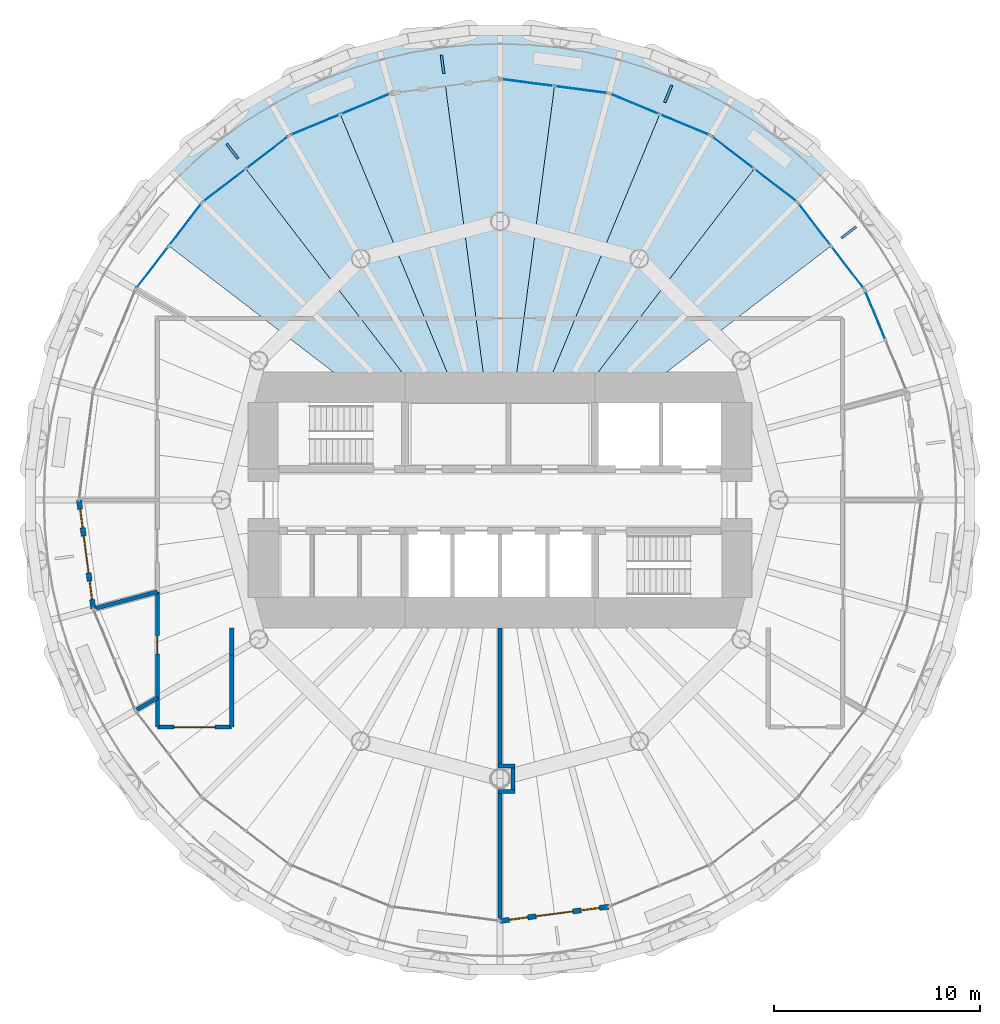
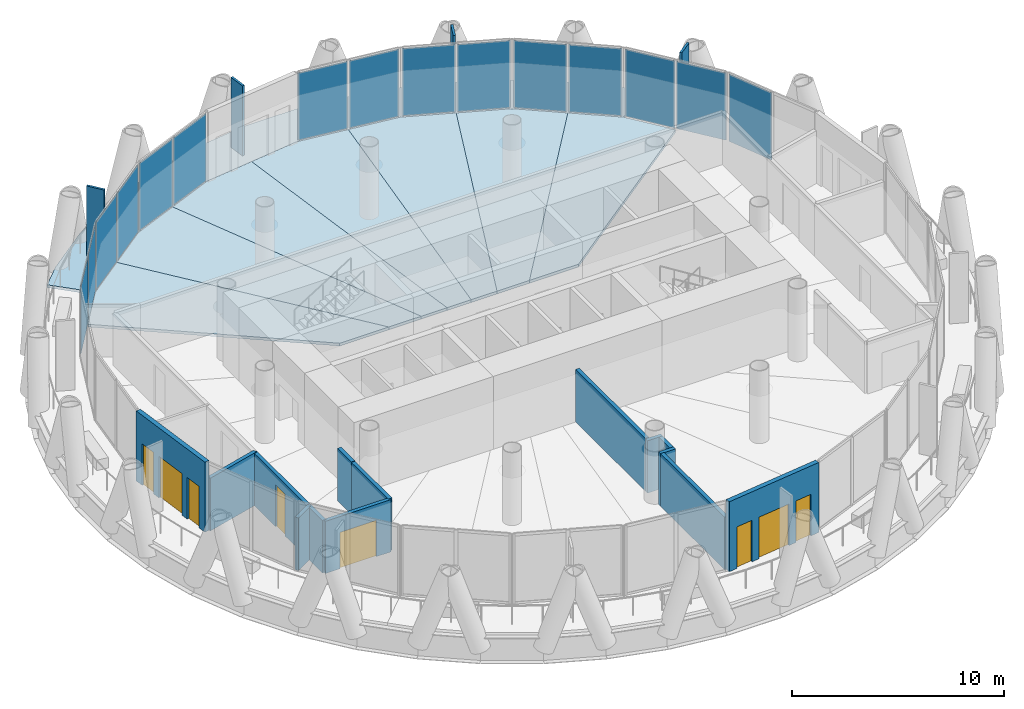
# One storey, part 9 of 14: 19 plates, 14 walls, 8 slabs, 4 doors, 4 windows, 8 openings, 8 elements without a shape of their own.
"""IFC4 building model written with IfcOpenShell, lengths in metres."""

from ifc_helpers import new_model, si_unit, direction, frame, frame_2d, origin, origin_2d, place, context, subcontext, project, spatial, polyline, rectangle, outline, extrude, material, layer, layer_set, type_object, element, fill, aggregate, save


model = new_model("IFC4")

# Units and contexts
model_context = context("Model", 3, precision=1e-05, world=origin(), true_north=direction((0.0, 1.0)))
body_context = subcontext(model_context, "Body", "Model", "MODEL_VIEW")
ifc_project = project(units=[si_unit("LENGTHUNIT", "METRE"), si_unit("AREAUNIT", "SQUARE_METRE"), si_unit("VOLUMEUNIT", "CUBIC_METRE"), si_unit("PLANEANGLEUNIT", "RADIAN"), si_unit("MASSUNIT", "GRAM", prefix="KILO")], contexts=[model_context])

# Site, building, storey
site_placement = place(None, origin())
site = spatial("IfcSite", under=ifc_project, at=site_placement, CompositionType="ELEMENT")
building_placement = place(site_placement, origin())
building = spatial("IfcBuilding", under=site, at=building_placement, Name="Qaws Media Tower", CompositionType="ELEMENT")
storey_placement = place(building_placement, frame((0.0, 0.0, 215.0)))
storey = spatial("IfcBuildingStorey", under=building, at=storey_placement, Name="L49", CompositionType="ELEMENT", Elevation=215.0)

# Slabs
ifc_material_1 = material(Name="Concrete C35/45", Category="concrete")
ifc_layer_1 = layer(ifc_material_1, 0.159912109375)
ifc_layer_set_1 = layer_set([ifc_layer_1], Name="Composite balcony slab 160")
slab_type_1 = type_object("IfcSlabType", Name="Composite balcony slab 160", PredefinedType="FLOOR", material=ifc_layer_set_1)
slab_1_placement = place(storey_placement, frame((0.0, 0.0, -0.159912109375)))
element("IfcSlab", 1, at=slab_1_placement, inside=storey, type_object=slab_type_1, Name="S2 balcony slab L49 R04 to R10, movement joints on R04 and R10", PredefinedType="FLOOR", context=body_context, shape_type="SweptSolid", body=[
    extrude(outline(polyline([(44.966796875, 67.141845703125), (47.3330078125, 68.95751953125), (49.915771484375, 70.44873046875), (52.671142578125, 71.590087890625), (55.552001953125, 72.36181640625), (58.5087890625, 72.751220703125), (61.4912109375, 72.751220703125), (64.447998046875, 72.36181640625), (67.328857421875, 71.590087890625), (70.084228515625, 70.44873046875), (72.6669921875, 68.95751953125), (75.033203125, 67.141845703125), (76.08740234375, 66.08740234375), (74.425048828125, 64.425048828125), (70.199951171875, 67.6669921875), (65.27978515625, 69.704833984375), (60.0, 70.39990234375), (54.72021484375, 69.704833984375), (49.800048828125, 67.6669921875), (45.574951171875, 64.425048828125), (43.91259765625, 66.08740234375), (44.966796875, 67.141845703125)])), origin(), (0.0, 0.0, 1.0), 0.159912109375),
])
ifc_material_2 = material(Name="Concrete C35/45", Category="concrete")
ifc_layer_2 = layer(ifc_material_2, 0.159912109375)
ifc_layer_set_2 = layer_set([ifc_layer_2], Name="Composite floor slab 160")
slab_type_2 = type_object("IfcSlabType", Name="Composite floor slab 160", PredefinedType="FLOOR", material=ifc_layer_set_2)
slab_2_placement = place(storey_placement, frame((0.0, 0.0, -0.159912109375)))
element("IfcSlab", 2, at=slab_2_placement, inside=storey, type_object=slab_type_2, Name="S1 floor panel L49 on R04", PredefinedType="FLOOR", context=body_context, shape_type="SweptSolid", body=[
    extrude(outline(polyline([(74.425048828125, 64.425048828125), (76.0458984375, 62.3125), (66.51611328125, 55.0), (63.836669921875, 55.0), (72.3125, 66.0458984375), (74.425048828125, 64.425048828125)])), origin(), (0.0, 0.0, 1.0), 0.159912109375),
])
slab_3_placement = place(storey_placement, frame((0.0, 0.0, -0.159912109375)))
element("IfcSlab", 3, at=slab_3_placement, inside=storey, type_object=slab_type_2, Name="S1 floor panel L49 on R05", PredefinedType="FLOOR", context=body_context, shape_type="SweptSolid", body=[
    extrude(outline(polyline([(70.199951171875, 67.6669921875), (72.3125, 66.0458984375), (63.836669921875, 55.0), (62.071044921875, 55.0), (67.739990234375, 68.685791015625), (70.199951171875, 67.6669921875)])), origin(), (0.0, 0.0, 1.0), 0.159912109375),
])
slab_4_placement = place(storey_placement, frame((0.0, 0.0, -0.159912109375)))
element("IfcSlab", 4, at=slab_4_placement, inside=storey, type_object=slab_type_2, Name="S1 floor panel L49 on R06", PredefinedType="FLOOR", context=body_context, shape_type="SweptSolid", body=[
    extrude(outline(polyline([(65.27978515625, 69.704833984375), (67.739990234375, 68.685791015625), (62.071044921875, 55.0), (60.658203125, 55.0), (62.639892578125, 70.052490234375), (65.27978515625, 69.704833984375)])), origin(), (0.0, 0.0, 1.0), 0.159912109375),
])
slab_5_placement = place(storey_placement, frame((0.0, 0.0, -0.159912109375)))
element("IfcSlab", 5, at=slab_5_placement, inside=storey, type_object=slab_type_2, Name="S1 floor panel L49 on R07", PredefinedType="FLOOR", context=body_context, shape_type="SweptSolid", body=[
    extrude(outline(polyline([(60.0, 70.39990234375), (62.639892578125, 70.052490234375), (60.658203125, 55.0), (59.341796875, 55.0), (57.360107421875, 70.052490234375), (60.0, 70.39990234375)])), origin(), (0.0, 0.0, 1.0), 0.159912109375),
])
slab_6_placement = place(storey_placement, frame((0.0, 0.0, -0.159912109375)))
element("IfcSlab", 6, at=slab_6_placement, inside=storey, type_object=slab_type_2, Name="S1 floor panel L49 on R08", PredefinedType="FLOOR", context=body_context, shape_type="SweptSolid", body=[
    extrude(outline(polyline([(54.72021484375, 69.704833984375), (57.360107421875, 70.052490234375), (59.341796875, 55.0), (57.928955078125, 55.0), (52.260009765625, 68.685791015625), (54.72021484375, 69.704833984375)])), origin(), (0.0, 0.0, 1.0), 0.159912109375),
])
slab_7_placement = place(storey_placement, frame((0.0, 0.0, -0.159912109375)))
element("IfcSlab", 7, at=slab_7_placement, inside=storey, type_object=slab_type_2, Name="S1 floor panel L49 on R09", PredefinedType="FLOOR", context=body_context, shape_type="SweptSolid", body=[
    extrude(outline(polyline([(49.800048828125, 67.6669921875), (52.260009765625, 68.685791015625), (57.928955078125, 55.0), (56.163330078125, 55.0), (47.6875, 66.0458984375), (49.800048828125, 67.6669921875)])), origin(), (0.0, 0.0, 1.0), 0.159912109375),
])
slab_8_placement = place(storey_placement, frame((0.0, 0.0, -0.159912109375)))
element("IfcSlab", 8, at=slab_8_placement, inside=storey, type_object=slab_type_2, Name="S1 floor panel L49 on R10", PredefinedType="FLOOR", context=body_context, shape_type="SweptSolid", body=[
    extrude(outline(polyline([(45.574951171875, 64.425048828125), (47.6875, 66.0458984375), (56.163330078125, 55.0), (53.48388671875, 55.0), (43.9541015625, 62.3125), (45.574951171875, 64.425048828125)])), origin(), (0.0, 0.0, 1.0), 0.159912109375),
])

# Curtain wall, plate
ifc_material_3 = material(Name="Aluminium and clear glass", Category="aluminium")
curtain_wall_type = type_object("IfcCurtainWallType", Name="Unitised curtain wall CW-C", PredefinedType="NOTDEFINED", material=ifc_material_3)
curtain_wall_1_placement = place(storey_placement, origin())
curtain_wall_1 = element("IfcCurtainWall", 9, at=curtain_wall_1_placement, inside=storey, type_object=curtain_wall_type, Name="CWC curtain wall L49-02", PredefinedType="NOTDEFINED")
ifc_material_4 = material(Name="Clear laminated double glazing", Category="glass")
ifc_layer_3 = layer(ifc_material_4, 0.031982421875)
ifc_layer_set_3 = layer_set([ifc_layer_3], Name="Curtain wall glass unit 32")
plate_type_1 = type_object("IfcPlateType", Name="Curtain wall glass unit 32", PredefinedType="CURTAIN_PANEL", material=ifc_layer_set_3)
plate_1_placement = place(storey_placement, frame((78.18408203125, 58.951416015625, 0.080078125), z_axis=(0.0, 0.0, 1.0), x_axis=(-0.382683525276, 0.923879494026, 0.0)))
plate_1 = element("IfcPlate", 10, at=plate_1_placement, type_object=plate_type_1, Name="CWC panel 2.1", PredefinedType="CURTAIN_PANEL", context=body_context, shape_type="SweptSolid", body=[
    extrude(rectangle(XDim=2.542724609375, YDim=0.031982421875, at=origin_2d()), origin(), (0.0, 0.0, 1.0), 3.8798828125),
])
aggregate(curtain_wall_1, [plate_1])

# Curtain wall, plates
curtain_wall_2_placement = place(storey_placement, origin())
curtain_wall_2 = element("IfcCurtainWall", 11, at=curtain_wall_2_placement, inside=storey, type_object=curtain_wall_type, Name="CWC curtain wall L49-03", PredefinedType="NOTDEFINED")
plate_2_placement = place(storey_placement, frame((76.84423828125, 61.272216796875, 0.080078125), z_axis=(0.0, 0.0, 1.0), x_axis=(-0.608761471199, 0.793353307917, 0.0)))
plate_2 = element("IfcPlate", 12, at=plate_2_placement, type_object=plate_type_1, Name="CWC panel 1.1", PredefinedType="CURTAIN_PANEL", context=body_context, shape_type="SweptSolid", body=[
    extrude(rectangle(XDim=2.542724609375, YDim=0.031982421875, at=origin_2d()), origin(), (0.0, 0.0, 1.0), 3.8798828125),
])
plate_3_placement = place(storey_placement, frame((75.24755859375, 63.352783203125, 0.080078125), z_axis=(0.0, 0.0, 1.0), x_axis=(-0.608761471199, 0.793353307917, 0.0)))
plate_3 = element("IfcPlate", 13, at=plate_3_placement, type_object=plate_type_1, Name="CWC panel 2.1", PredefinedType="CURTAIN_PANEL", context=body_context, shape_type="SweptSolid", body=[
    extrude(rectangle(XDim=2.542724609375, YDim=0.031982421875, at=origin_2d()), origin(), (0.0, 0.0, 1.0), 3.8798828125),
])
aggregate(curtain_wall_2, [plate_2, plate_3])

curtain_wall_3_placement = place(storey_placement, origin())
curtain_wall_3 = element("IfcCurtainWall", 14, at=curtain_wall_3_placement, inside=storey, type_object=curtain_wall_type, Name="CWC curtain wall L49-04", PredefinedType="NOTDEFINED")
plate_4_placement = place(storey_placement, frame((73.352783203125, 65.24755859375, 0.080078125), z_axis=(0.0, 0.0, 1.0), x_axis=(-0.793353307917, 0.608761471199, 0.0)))
plate_4 = element("IfcPlate", 15, at=plate_4_placement, type_object=plate_type_1, Name="CWC panel 1.1", PredefinedType="CURTAIN_PANEL", context=body_context, shape_type="SweptSolid", body=[
    extrude(rectangle(XDim=2.542724609375, YDim=0.031982421875, at=origin_2d()), origin(), (0.0, 0.0, 1.0), 3.8798828125),
])
plate_5_placement = place(storey_placement, frame((71.272216796875, 66.84423828125, 0.080078125), z_axis=(0.0, 0.0, 1.0), x_axis=(-0.793353307917, 0.608761471199, 0.0)))
plate_5 = element("IfcPlate", 16, at=plate_5_placement, type_object=plate_type_1, Name="CWC panel 2.1", PredefinedType="CURTAIN_PANEL", context=body_context, shape_type="SweptSolid", body=[
    extrude(rectangle(XDim=2.542724609375, YDim=0.031982421875, at=origin_2d()), origin(), (0.0, 0.0, 1.0), 3.8798828125),
])
aggregate(curtain_wall_3, [plate_4, plate_5])

curtain_wall_4_placement = place(storey_placement, origin())
curtain_wall_4 = element("IfcCurtainWall", 17, at=curtain_wall_4_placement, inside=storey, type_object=curtain_wall_type, Name="CWC curtain wall L49-05", PredefinedType="NOTDEFINED")
plate_6_placement = place(storey_placement, frame((68.951416015625, 68.18408203125, 0.080078125), z_axis=(0.0, 0.0, 1.0), x_axis=(-0.923879494026, 0.382683525276, 0.0)))
plate_6 = element("IfcPlate", 18, at=plate_6_placement, type_object=plate_type_1, Name="CWC panel 1.1", PredefinedType="CURTAIN_PANEL", context=body_context, shape_type="SweptSolid", body=[
    extrude(rectangle(XDim=2.542724609375, YDim=0.031982421875, at=origin_2d()), origin(), (0.0, 0.0, 1.0), 3.8798828125),
])
plate_7_placement = place(storey_placement, frame((66.5283203125, 69.187744140625, 0.080078125), z_axis=(0.0, 0.0, 1.0), x_axis=(-0.923879494026, 0.382683525276, 0.0)))
plate_7 = element("IfcPlate", 19, at=plate_7_placement, type_object=plate_type_1, Name="CWC panel 2.1", PredefinedType="CURTAIN_PANEL", context=body_context, shape_type="SweptSolid", body=[
    extrude(rectangle(XDim=2.542724609375, YDim=0.031982421875, at=origin_2d()), origin(), (0.0, 0.0, 1.0), 3.8798828125),
])
aggregate(curtain_wall_4, [plate_6, plate_7])

curtain_wall_5_placement = place(storey_placement, origin())
curtain_wall_5 = element("IfcCurtainWall", 20, at=curtain_wall_5_placement, inside=storey, type_object=curtain_wall_type, Name="CWC curtain wall L49-06", PredefinedType="NOTDEFINED")
plate_8_placement = place(storey_placement, frame((63.940185546875, 69.88134765625, 0.080078125), z_axis=(0.0, 0.0, 1.0), x_axis=(-0.991444866402, 0.13052615403, 0.0)))
plate_8 = element("IfcPlate", 21, at=plate_8_placement, type_object=plate_type_1, Name="CWC panel 1.1", PredefinedType="CURTAIN_PANEL", context=body_context, shape_type="SweptSolid", body=[
    extrude(rectangle(XDim=2.542724609375, YDim=0.031982421875, at=origin_2d()), origin(), (0.0, 0.0, 1.0), 3.8798828125),
])
plate_9_placement = place(storey_placement, frame((61.33984375, 70.2236328125, 0.080078125), z_axis=(0.0, 0.0, 1.0), x_axis=(-0.991444866402, 0.13052615403, 0.0)))
plate_9 = element("IfcPlate", 22, at=plate_9_placement, type_object=plate_type_1, Name="CWC panel 2.1", PredefinedType="CURTAIN_PANEL", context=body_context, shape_type="SweptSolid", body=[
    extrude(rectangle(XDim=2.542724609375, YDim=0.031982421875, at=origin_2d()), origin(), (0.0, 0.0, 1.0), 3.8798828125),
])
aggregate(curtain_wall_5, [plate_8, plate_9])

curtain_wall_6_placement = place(storey_placement, origin())
curtain_wall_6 = element("IfcCurtainWall", 23, at=curtain_wall_6_placement, inside=storey, type_object=curtain_wall_type, Name="CWC curtain wall L49-08", PredefinedType="NOTDEFINED")
plate_10_placement = place(storey_placement, frame((53.4716796875, 69.187744140625, 0.080078125), z_axis=(0.0, 0.0, 1.0), x_axis=(-0.923879494026, -0.382683525276, 0.0)))
plate_10 = element("IfcPlate", 24, at=plate_10_placement, type_object=plate_type_1, Name="CWC panel 1.1", PredefinedType="CURTAIN_PANEL", context=body_context, shape_type="SweptSolid", body=[
    extrude(rectangle(XDim=2.542724609375, YDim=0.031982421875, at=origin_2d()), origin(), (0.0, 0.0, 1.0), 3.8798828125),
])
plate_11_placement = place(storey_placement, frame((51.048583984375, 68.18408203125, 0.080078125), z_axis=(0.0, 0.0, 1.0), x_axis=(-0.923879494026, -0.382683525276, 0.0)))
plate_11 = element("IfcPlate", 25, at=plate_11_placement, type_object=plate_type_1, Name="CWC panel 2.1", PredefinedType="CURTAIN_PANEL", context=body_context, shape_type="SweptSolid", body=[
    extrude(rectangle(XDim=2.542724609375, YDim=0.031982421875, at=origin_2d()), origin(), (0.0, 0.0, 1.0), 3.8798828125),
])
aggregate(curtain_wall_6, [plate_10, plate_11])

curtain_wall_7_placement = place(storey_placement, origin())
curtain_wall_7 = element("IfcCurtainWall", 26, at=curtain_wall_7_placement, inside=storey, type_object=curtain_wall_type, Name="CWC curtain wall L49-09", PredefinedType="NOTDEFINED")
plate_12_placement = place(storey_placement, frame((48.727783203125, 66.84423828125, 0.080078125), z_axis=(0.0, 0.0, 1.0), x_axis=(-0.793353307917, -0.608761471199, 0.0)))
plate_12 = element("IfcPlate", 27, at=plate_12_placement, type_object=plate_type_1, Name="CWC panel 1.1", PredefinedType="CURTAIN_PANEL", context=body_context, shape_type="SweptSolid", body=[
    extrude(rectangle(XDim=2.542724609375, YDim=0.031982421875, at=origin_2d()), origin(), (0.0, 0.0, 1.0), 3.8798828125),
])
plate_13_placement = place(storey_placement, frame((46.647216796875, 65.24755859375, 0.080078125), z_axis=(0.0, 0.0, 1.0), x_axis=(-0.793353307917, -0.608761471199, 0.0)))
plate_13 = element("IfcPlate", 28, at=plate_13_placement, type_object=plate_type_1, Name="CWC panel 2.1", PredefinedType="CURTAIN_PANEL", context=body_context, shape_type="SweptSolid", body=[
    extrude(rectangle(XDim=2.542724609375, YDim=0.031982421875, at=origin_2d()), origin(), (0.0, 0.0, 1.0), 3.8798828125),
])
aggregate(curtain_wall_7, [plate_12, plate_13])

curtain_wall_8_placement = place(storey_placement, origin())
curtain_wall_8 = element("IfcCurtainWall", 29, at=curtain_wall_8_placement, inside=storey, type_object=curtain_wall_type, Name="CWC curtain wall L49-10", PredefinedType="NOTDEFINED")
plate_14_placement = place(storey_placement, frame((44.75244140625, 63.352783203125, 0.080078125), z_axis=(0.0, 0.0, 1.0), x_axis=(-0.608761471199, -0.793353307917, 0.0)))
plate_14 = element("IfcPlate", 30, at=plate_14_placement, type_object=plate_type_1, Name="CWC panel 1.1", PredefinedType="CURTAIN_PANEL", context=body_context, shape_type="SweptSolid", body=[
    extrude(rectangle(XDim=2.542724609375, YDim=0.031982421875, at=origin_2d()), origin(), (0.0, 0.0, 1.0), 3.8798828125),
])
plate_15_placement = place(storey_placement, frame((43.15576171875, 61.272216796875, 0.080078125), z_axis=(0.0, 0.0, 1.0), x_axis=(-0.608761471199, -0.793353307917, 0.0)))
plate_15 = element("IfcPlate", 31, at=plate_15_placement, type_object=plate_type_1, Name="CWC panel 2.1", PredefinedType="CURTAIN_PANEL", context=body_context, shape_type="SweptSolid", body=[
    extrude(rectangle(XDim=2.542724609375, YDim=0.031982421875, at=origin_2d()), origin(), (0.0, 0.0, 1.0), 3.8798828125),
])
aggregate(curtain_wall_8, [plate_14, plate_15])

# Plates
ifc_material_5 = material(Name="Precast concrete screen fin", Category="concrete")
ifc_layer_4 = layer(ifc_material_5, 0.1201171875)
ifc_layer_set_4 = layer_set([ifc_layer_4], Name="Screen fin 120x900")
plate_type_2 = type_object("IfcPlateType", Name="Screen fin 120x900", PredefinedType="USERDEFINED", material=ifc_layer_set_4)
for number, where, z_axis, x_axis, name in (
    (32, (76.8984375, 62.966552734375, 0.0), (0.0, 0.0, 1.0), (0.793353340291, 0.608761429009, 0.0), "SCR1 screen fin L49-02"),
    (33, (68.151123046875, 69.6787109375, 0.0), (0.0, 0.0, 1.0), (0.382683432365, 0.923879532511, 0.0), "SCR1 screen fin L49-03"),
    (34, (57.2197265625, 71.11767578125, 0.0), (0.0, 0.0, 1.0), (-0.13052619222, 0.991444861374, 0.0), "SCR1 screen fin L49-04"),
    (35, (47.033447265625, 66.8984375, 0.0), (0.0, 0.0, 1.0), (-0.608761429009, 0.793353340291, 0.0), "SCR1 screen fin L49-05"),
):
    element("IfcPlate", number, at=place(storey_placement, frame(where, z_axis=z_axis, x_axis=x_axis)), inside=storey, type_object=plate_type_2, Name=name, ObjectType="SCREEN", PredefinedType="USERDEFINED", context=body_context, shape_type="SweptSolid", body=[
        extrude(rectangle(XDim=0.89990234375, YDim=0.1201171875, at=origin_2d()), origin(), (0.0, 0.0, 1.0), 4.0400390625),
    ])

# Wall, openings, door, windows
ifc_material_6 = material(Name="Precast concrete, exposed finish", Category="concrete")
ifc_layer_5 = layer(ifc_material_6, 0.25)
ifc_layer_set_5 = layer_set([ifc_layer_5], Name="Balcony door wall 250")
wall_type_1 = type_object("IfcWallType", Name="Balcony door wall 250", PredefinedType="SOLIDWALL", material=ifc_layer_set_5)
wall_1_placement = place(storey_placement, frame((39.60009765625, 50.0, 0.0), z_axis=(0.0, 0.0, 1.0), x_axis=(0.130514991371, -0.991446335929, 0.0)))
wall_1 = element("IfcWall", 36, at=wall_1_placement, inside=storey, type_object=wall_type_1, Name="W232 EW1 balcony door wall L49-13", PredefinedType="SOLIDWALL", context=body_context, shape_type="SweptSolid", body=[
    extrude(rectangle(XDim=5.32568359375, YDim=0.25, at=frame_2d((2.662841796875, 0.0))), origin(), (0.0, 0.0, 1.0), 4.0400390625),
])
opening_1_placement = place(wall_1_placement, frame((1.7626953125, 0.0, 0.0)))
opening_1 = element("IfcOpeningElement", 37, at=opening_1_placement, cuts=wall_1, Name="Opening D7", PredefinedType="OPENING", context=body_context, shape_type="SweptSolid", body=[
    extrude(rectangle(XDim=1.800048828125, YDim=2.39990234375, at=frame_2d((0.89990234375, 1.199951171875))), frame((0.0, 0.135009765625, 0.0), z_axis=(0.0, -1.0, 0.0), x_axis=(1.0, 0.0, 0.0)), (0.0, 0.0, 1.0), 0.27001953125),
])
opening_2_placement = place(wall_1_placement, frame((0.462646484375, 0.0, 0.0)))
opening_2 = element("IfcOpeningElement", 38, at=opening_2_placement, cuts=wall_1, Name="Opening W7", PredefinedType="OPENING", context=body_context, shape_type="SweptSolid", body=[
    extrude(rectangle(XDim=0.89990234375, YDim=2.39990234375, at=frame_2d((0.449951171875, 1.199951171875))), frame((0.0, 0.135009765625, 0.0), z_axis=(0.0, -1.0, 0.0), x_axis=(1.0, 0.0, 0.0)), (0.0, 0.0, 1.0), 0.27001953125),
])
opening_3_placement = place(wall_1_placement, frame((3.962646484375, 0.0, 0.0)))
opening_3 = element("IfcOpeningElement", 39, at=opening_3_placement, cuts=wall_1, Name="Opening W7", PredefinedType="OPENING", context=body_context, shape_type="SweptSolid", body=[
    extrude(rectangle(XDim=0.89990234375, YDim=2.39990234375, at=frame_2d((0.449951171875, 1.199951171875))), frame((0.0, 0.135009765625, 0.0), z_axis=(0.0, -1.0, 0.0), x_axis=(1.0, 0.0, 0.0)), (0.0, 0.0, 1.0), 0.27001953125),
])
ifc_material_7 = material(Name="Aluminium and clear glass", Category="aluminium")
door_type_1 = type_object("IfcDoorType", Name="Balcony door pair 1800", OperationType="DOUBLE_DOOR_SLIDING", PredefinedType="DOOR", material=ifc_material_7)
door_1_placement = place(opening_1_placement, origin())
door_1 = element("IfcDoor", 40, at=door_1_placement, inside=storey, type_object=door_type_1, Name="D7 balcony door L49-13 in wall W232", OperationType="DOUBLE_DOOR_SLIDING", OverallHeight=2.39990234375, OverallWidth=1.800048828125, PredefinedType="DOOR", context=body_context, shape_type="SweptSolid", body=[
    extrude(rectangle(XDim=1.800048828125, YDim=2.39990234375, at=frame_2d((0.89990234375, 1.199951171875))), frame((0.0, 0.02490234375, 0.0), z_axis=(0.0, -1.0, 0.0), x_axis=(1.0, 0.0, 0.0)), (0.0, 0.0, 1.0), 0.050048828125),
])
fill(opening_1, door_1)
ifc_material_8 = material(Name="Aluminium and clear glass", Category="aluminium")
window_type = type_object("IfcWindowType", Name="Balcony side window 900", PartitioningType="SINGLE_PANEL", PredefinedType="WINDOW", material=ifc_material_8)
window_1_placement = place(opening_2_placement, origin())
window_1 = element("IfcWindow", 41, at=window_1_placement, inside=storey, type_object=window_type, Name="W1 balcony side light L49-13L", OverallHeight=2.39990234375, OverallWidth=0.89990234375, PartitioningType="SINGLE_PANEL", PredefinedType="WINDOW", context=body_context, shape_type="SweptSolid", body=[
    extrude(rectangle(XDim=0.89990234375, YDim=2.39990234375, at=frame_2d((0.449951171875, 1.199951171875))), frame((0.0, 0.030029296875, 0.0), z_axis=(0.0, -1.0, 0.0), x_axis=(1.0, 0.0, 0.0)), (0.0, 0.0, 1.0), 0.06005859375),
])
fill(opening_2, window_1)
window_2_placement = place(opening_3_placement, origin())
window_2 = element("IfcWindow", 42, at=window_2_placement, inside=storey, type_object=window_type, Name="W1 balcony side light L49-13R", OverallHeight=2.39990234375, OverallWidth=0.89990234375, PartitioningType="SINGLE_PANEL", PredefinedType="WINDOW", context=body_context, shape_type="SweptSolid", body=[
    extrude(rectangle(XDim=0.89990234375, YDim=2.39990234375, at=frame_2d((0.449951171875, 1.199951171875))), frame((0.0, 0.030029296875, 0.0), z_axis=(0.0, -1.0, 0.0), x_axis=(1.0, 0.0, 0.0)), (0.0, 0.0, 1.0), 0.06005859375),
])
fill(opening_3, window_2)

wall_2_placement = place(storey_placement, frame((60.0, 29.60009765625, 0.0), z_axis=(0.0, 0.0, 1.0), x_axis=(0.991446335929, 0.130514991371, 0.0)))
wall_2 = element("IfcWall", 43, at=wall_2_placement, inside=storey, type_object=wall_type_1, Name="W233 EW1 balcony door wall L49-19", PredefinedType="SOLIDWALL", context=body_context, shape_type="SweptSolid", body=[
    extrude(rectangle(XDim=5.32568359375, YDim=0.25, at=frame_2d((2.662841796875, 0.0))), origin(), (0.0, 0.0, 1.0), 4.0400390625),
])
opening_4_placement = place(wall_2_placement, frame((1.7626953125, 0.0, 0.0)))
opening_4 = element("IfcOpeningElement", 44, at=opening_4_placement, cuts=wall_2, Name="Opening D7", PredefinedType="OPENING", context=body_context, shape_type="SweptSolid", body=[
    extrude(rectangle(XDim=1.800048828125, YDim=2.39990234375, at=frame_2d((0.89990234375, 1.199951171875))), frame((0.0, 0.135009765625, 0.0), z_axis=(0.0, -1.0, 0.0), x_axis=(1.0, 0.0, 0.0)), (0.0, 0.0, 1.0), 0.27001953125),
])
opening_5_placement = place(wall_2_placement, frame((0.462646484375, 0.0, 0.0)))
opening_5 = element("IfcOpeningElement", 45, at=opening_5_placement, cuts=wall_2, Name="Opening W7", PredefinedType="OPENING", context=body_context, shape_type="SweptSolid", body=[
    extrude(rectangle(XDim=0.89990234375, YDim=2.39990234375, at=frame_2d((0.449951171875, 1.199951171875))), frame((0.0, 0.135009765625, 0.0), z_axis=(0.0, -1.0, 0.0), x_axis=(1.0, 0.0, 0.0)), (0.0, 0.0, 1.0), 0.27001953125),
])
opening_6_placement = place(wall_2_placement, frame((3.962646484375, 0.0, 0.0)))
opening_6 = element("IfcOpeningElement", 46, at=opening_6_placement, cuts=wall_2, Name="Opening W7", PredefinedType="OPENING", context=body_context, shape_type="SweptSolid", body=[
    extrude(rectangle(XDim=0.89990234375, YDim=2.39990234375, at=frame_2d((0.449951171875, 1.199951171875))), frame((0.0, 0.135009765625, 0.0), z_axis=(0.0, -1.0, 0.0), x_axis=(1.0, 0.0, 0.0)), (0.0, 0.0, 1.0), 0.27001953125),
])
door_2_placement = place(opening_4_placement, origin())
door_2 = element("IfcDoor", 47, at=door_2_placement, inside=storey, type_object=door_type_1, Name="D7 balcony door L49-19 in wall W233", OperationType="DOUBLE_DOOR_SLIDING", OverallHeight=2.39990234375, OverallWidth=1.800048828125, PredefinedType="DOOR", context=body_context, shape_type="SweptSolid", body=[
    extrude(rectangle(XDim=1.800048828125, YDim=2.39990234375, at=frame_2d((0.89990234375, 1.199951171875))), frame((0.0, 0.02490234375, 0.0), z_axis=(0.0, -1.0, 0.0), x_axis=(1.0, 0.0, 0.0)), (0.0, 0.0, 1.0), 0.050048828125),
])
fill(opening_4, door_2)
window_3_placement = place(opening_5_placement, origin())
window_3 = element("IfcWindow", 48, at=window_3_placement, inside=storey, type_object=window_type, Name="W1 balcony side light L49-19L", OverallHeight=2.39990234375, OverallWidth=0.89990234375, PartitioningType="SINGLE_PANEL", PredefinedType="WINDOW", context=body_context, shape_type="SweptSolid", body=[
    extrude(rectangle(XDim=0.89990234375, YDim=2.39990234375, at=frame_2d((0.449951171875, 1.199951171875))), frame((0.0, 0.030029296875, 0.0), z_axis=(0.0, -1.0, 0.0), x_axis=(1.0, 0.0, 0.0)), (0.0, 0.0, 1.0), 0.06005859375),
])
fill(opening_5, window_3)
window_4_placement = place(opening_6_placement, origin())
window_4 = element("IfcWindow", 49, at=window_4_placement, inside=storey, type_object=window_type, Name="W1 balcony side light L49-19R", OverallHeight=2.39990234375, OverallWidth=0.89990234375, PartitioningType="SINGLE_PANEL", PredefinedType="WINDOW", context=body_context, shape_type="SweptSolid", body=[
    extrude(rectangle(XDim=0.89990234375, YDim=2.39990234375, at=frame_2d((0.449951171875, 1.199951171875))), frame((0.0, 0.030029296875, 0.0), z_axis=(0.0, -1.0, 0.0), x_axis=(1.0, 0.0, 0.0)), (0.0, 0.0, 1.0), 0.06005859375),
])
fill(opening_6, window_4)

# Walls
ifc_material_9 = material(Name="Gypsum board on galvanised metal studs, acoustic double stud, deflection head", Category="gypsum")
ifc_layer_6 = layer(ifc_material_9, 0.199951171875)
ifc_layer_set_6 = layer_set([ifc_layer_6], Name="Room partition 200")
wall_type_2 = type_object("IfcWallType", Name="Room partition 200", PredefinedType="PARTITIONING", material=ifc_layer_set_6)
wall_3_placement = place(storey_placement, frame((47.0, 43.800048828125, 0.0), z_axis=(0.0, 0.0, 1.0), x_axis=(0.0, -1.0, 0.0)))
element("IfcWall", 50, at=wall_3_placement, inside=storey, type_object=wall_type_2, Name="W1570 IW3 partition L49", PredefinedType="PARTITIONING", context=body_context, shape_type="SweptSolid", body=[
    extrude(rectangle(XDim=1.3056640625, YDim=0.199951171875, at=frame_2d((0.65283203125, 0.0))), origin(), (0.0, 0.0, 1.0), 3.0400390625),
])
wall_4_placement = place(storey_placement, frame((47.0, 42.494384765625, 0.0), z_axis=(0.0, 0.0, 1.0), x_axis=(0.0, -1.0, 0.0)))
element("IfcWall", 51, at=wall_4_placement, inside=storey, type_object=wall_type_2, Name="W1366 IW3 partition L49", PredefinedType="PARTITIONING", context=body_context, shape_type="SweptSolid", body=[
    extrude(rectangle(XDim=3.494384765625, YDim=0.199951171875, at=frame_2d((1.7470703125, 0.0))), origin(), (0.0, 0.0, 1.0), 3.011962890625),
])

# Wall, opening, door
wall_5_placement = place(storey_placement, frame((47.0, 39.0, 0.0), z_axis=(0.0, 0.0, 1.0), x_axis=(-1.0, 0.0, 0.0)))
wall_5 = element("IfcWall", 52, at=wall_5_placement, inside=storey, type_object=wall_type_2, Name="W1416 IW3 partition L49", PredefinedType="PARTITIONING", context=body_context, shape_type="SweptSolid", body=[
    extrude(rectangle(XDim=3.60009765625, YDim=0.199951171875, at=frame_2d((1.800048828125, 0.0))), origin(), (0.0, 0.0, 1.0), 3.011962890625),
])
opening_7_placement = place(wall_5_placement, frame((0.800048828125, 0.0, 0.0)))
opening_7 = element("IfcOpeningElement", 53, at=opening_7_placement, cuts=wall_5, Name="Opening D6", PredefinedType="OPENING", context=body_context, shape_type="SweptSolid", body=[
    extrude(rectangle(XDim=2.0, YDim=2.10009765625, at=frame_2d((1.0, 1.050048828125))), frame((0.0, 0.10986328125, 0.0), z_axis=(0.0, -1.0, 0.0), x_axis=(1.0, 0.0, 0.0)), (0.0, 0.0, 1.0), 0.219970703125),
])
ifc_material_10 = material(Name="Steel, acoustic, fire rated", Category="steel")
door_type_2 = type_object("IfcDoorType", Name="Room door pair 2000", OperationType="DOUBLE_DOOR_DOUBLE_SWING", PredefinedType="DOOR", material=ifc_material_10)
door_3_placement = place(opening_7_placement, origin())
door_3 = element("IfcDoor", 54, at=door_3_placement, inside=storey, type_object=door_type_2, Name="D6 Tenant office door L49 in wall W1416", OperationType="DOUBLE_DOOR_DOUBLE_SWING", OverallHeight=2.10009765625, OverallWidth=2.0, PredefinedType="DOOR", context=body_context, shape_type="SweptSolid", body=[
    extrude(rectangle(XDim=2.0, YDim=2.10009765625, at=frame_2d((1.0, 1.050048828125))), frame((0.0, 0.02490234375, 0.0), z_axis=(0.0, -1.0, 0.0), x_axis=(1.0, 0.0, 0.0)), (0.0, 0.0, 1.0), 0.050048828125),
])
fill(opening_7, door_3)

# Wall
wall_6_placement = place(storey_placement, frame((43.39990234375, 39.0, 0.0), z_axis=(0.0, 0.0, 1.0), x_axis=(0.0, 1.0, 0.0)))
element("IfcWall", 55, at=wall_6_placement, inside=storey, type_object=wall_type_2, Name="W1245 IW3 partition L49", PredefinedType="PARTITIONING", context=body_context, shape_type="SweptSolid", body=[
    extrude(rectangle(XDim=1.416015625, YDim=0.199951171875, at=frame_2d((0.7080078125, 0.0))), origin(), (0.0, 0.0, 1.0), 3.0400390625),
])

# Wall, opening, door
wall_7_placement = place(storey_placement, frame((43.39990234375, 40.416015625, 0.0), z_axis=(0.0, 0.0, 1.0), x_axis=(0.0, 1.0, 0.0)))
wall_7 = element("IfcWall", 56, at=wall_7_placement, inside=storey, type_object=wall_type_2, Name="W1387 IW3 partition L49", PredefinedType="PARTITIONING", context=body_context, shape_type="SweptSolid", body=[
    extrude(rectangle(XDim=5.135986328125, YDim=0.199951171875, at=frame_2d((2.56787109375, 0.0))), origin(), (0.0, 0.0, 1.0), 3.011962890625),
])
opening_8_placement = place(wall_7_placement, frame((2.117919921875, 0.0, 0.0)))
opening_8 = element("IfcOpeningElement", 57, at=opening_8_placement, cuts=wall_7, Name="Opening D12", PredefinedType="OPENING", context=body_context, shape_type="SweptSolid", body=[
    extrude(rectangle(XDim=0.89990234375, YDim=2.39990234375, at=frame_2d((0.449951171875, 1.199951171875))), frame((0.0, 0.10986328125, 0.0), z_axis=(0.0, -1.0, 0.0), x_axis=(1.0, 0.0, 0.0)), (0.0, 0.0, 1.0), 0.219970703125),
])
ifc_material_11 = material(Name="Timber veneered, full height", Category="wood")
door_type_3 = type_object("IfcDoorType", Name="Office door 900x2400", OperationType="SINGLE_SWING_LEFT", PredefinedType="DOOR", material=ifc_material_11)
door_4_placement = place(opening_8_placement, origin())
door_4 = element("IfcDoor", 58, at=door_4_placement, inside=storey, type_object=door_type_3, Name="D12 Office door L49 in wall W1387", OperationType="SINGLE_SWING_LEFT", OverallHeight=2.39990234375, OverallWidth=0.89990234375, PredefinedType="DOOR", context=body_context, shape_type="SweptSolid", body=[
    extrude(rectangle(XDim=0.89990234375, YDim=2.39990234375, at=frame_2d((0.449951171875, 1.199951171875))), frame((0.0, 0.02490234375, 0.0), z_axis=(0.0, -1.0, 0.0), x_axis=(1.0, 0.0, 0.0)), (0.0, 0.0, 1.0), 0.050048828125),
])
fill(opening_8, door_4)

# Walls
wall_8_placement = place(storey_placement, frame((43.405517578125, 45.553466796875, 0.0), z_axis=(0.0, 0.0, 1.0), x_axis=(-0.9659303613, -0.258802119616, 0.0)))
element("IfcWall", 59, at=wall_8_placement, inside=storey, type_object=wall_type_2, Name="W1567 IW3 partition L49", PredefinedType="PARTITIONING", context=body_context, shape_type="SweptSolid", body=[
    extrude(rectangle(XDim=3.080078125, YDim=0.199951171875, at=frame_2d((1.5400390625, 0.0))), origin(), (0.0, 0.0, 1.0), 3.0400390625),
])
wall_9_placement = place(storey_placement, frame((43.406982421875, 40.419921875, 0.0), z_axis=(0.0, 0.0, 1.0), x_axis=(-0.866094119867, -0.499880961361, 0.0)))
element("IfcWall", 60, at=wall_9_placement, inside=storey, type_object=wall_type_2, Name="W1568 IW3 partition L49", PredefinedType="PARTITIONING", context=body_context, shape_type="SweptSolid", body=[
    extrude(rectangle(XDim=1.199951171875, YDim=0.199951171875, at=frame_2d((0.60009765625, 0.0))), origin(), (0.0, 0.0, 1.0), 3.0400390625),
])
for number, where, z_axis, x_axis, name in (
    (61, (59.89990234375, 37.116943359375, 0.0), (0.0, 0.0, 1.0), (1.0, 0.0, 0.0), "W1572 IW3 partition return L49"),
    (62, (59.89990234375, 35.883056640625, 0.0), (0.0, 0.0, 1.0), (1.0, 0.0, 0.0), "W1571 IW3 partition return L49"),
):
    element("IfcWall", number, at=place(storey_placement, frame(where, z_axis=z_axis, x_axis=x_axis)), inside=storey, type_object=wall_type_2, Name=name, PredefinedType="PARTITIONING", context=body_context, shape_type="SweptSolid", body=[
        extrude(rectangle(XDim=0.8271484375, YDim=0.199951171875, at=frame_2d((0.41357421875, 0.0))), origin(), (0.0, 0.0, 1.0), 3.02001953125),
    ])
wall_10_placement = place(storey_placement, frame((60.626953125, 37.01708984375, 0.0), z_axis=(0.0, 0.0, 1.0), x_axis=(0.0, -1.0, 0.0)))
element("IfcWall", 63, at=wall_10_placement, inside=storey, type_object=wall_type_2, Name="W1575 IW3 partition return L49", PredefinedType="PARTITIONING", context=body_context, shape_type="SweptSolid", body=[
    extrude(rectangle(XDim=1.0341796875, YDim=0.199951171875, at=frame_2d((0.51708984375, 0.0))), origin(), (0.0, 0.0, 1.0), 3.02001953125),
])
wall_11_placement = place(storey_placement, frame((60.0, 43.800048828125, 0.0), z_axis=(0.0, 0.0, 1.0), x_axis=(0.0, -1.0, 0.0)))
element("IfcWall", 64, at=wall_11_placement, inside=storey, type_object=wall_type_2, Name="W1540 IW3 partition L49", PredefinedType="PARTITIONING", context=body_context, shape_type="SweptSolid", body=[
    extrude(rectangle(XDim=6.5830078125, YDim=0.199951171875, at=frame_2d((3.29150390625, 0.0))), origin(), (0.0, 0.0, 1.0), 3.0400390625),
])
wall_12_placement = place(storey_placement, frame((60.0, 35.782958984375, 0.0), z_axis=(0.0, 0.0, 1.0), x_axis=(0.0, -1.0, 0.0)))
element("IfcWall", 65, at=wall_12_placement, inside=storey, type_object=wall_type_2, Name="W1573 IW3 partition L49", PredefinedType="PARTITIONING", context=body_context, shape_type="SweptSolid", body=[
    extrude(rectangle(XDim=6.04296875, YDim=0.199951171875, at=frame_2d((3.021484375, 0.0))), origin(), (0.0, 0.0, 1.0), 3.0400390625),
])

save(model, "model.ifc")
